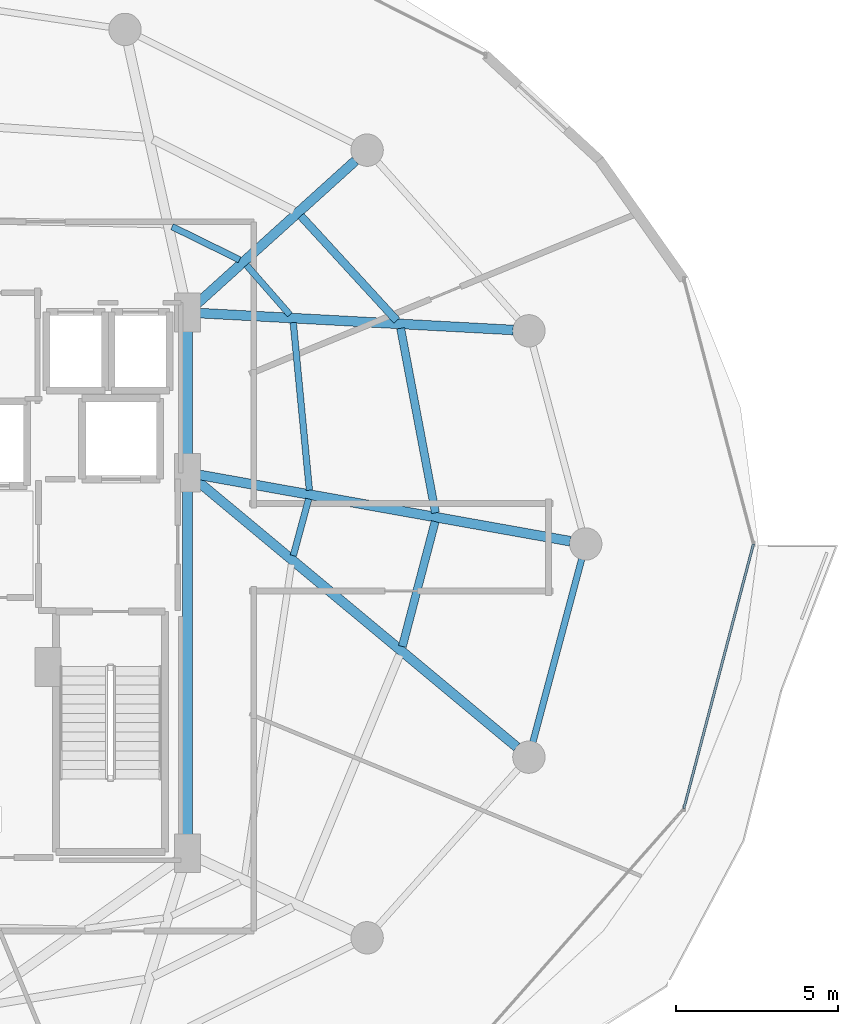
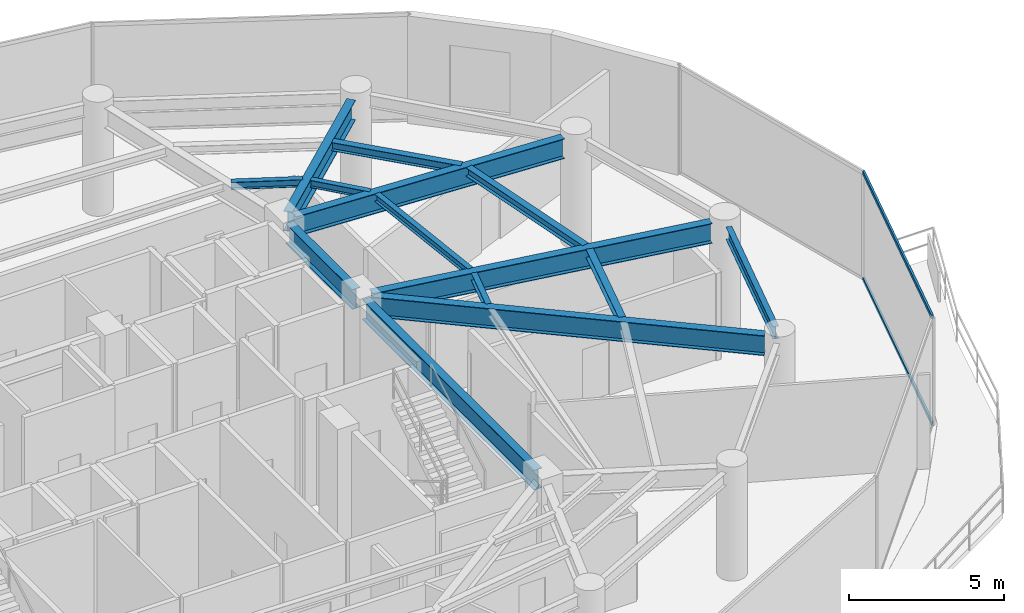
# One storey, part 14 of 31: 14 beams, 2 members, 1 element without a shape of its own.
"""IFC4 building model written with IfcOpenShell, lengths in metres."""

from ifc_helpers import new_model, si_unit, direction, frame, origin, origin_2d, place, context, subcontext, project, spatial, hollow_rectangle, i_section, extrude, material, material_profile, profile_set, type_object, element, aggregate, save


model = new_model("IFC4")

# Units and contexts
model_context = context("Model", 3, precision=1e-05, world=origin(), true_north=direction((0.0, 1.0)))
body_context = subcontext(model_context, "Body", "Model", "MODEL_VIEW")
ifc_project = project(units=[si_unit("LENGTHUNIT", "METRE"), si_unit("AREAUNIT", "SQUARE_METRE"), si_unit("VOLUMEUNIT", "CUBIC_METRE"), si_unit("PLANEANGLEUNIT", "RADIAN"), si_unit("MASSUNIT", "GRAM", prefix="KILO")], contexts=[model_context])

# Site, building, storey
site_placement = place(None, origin())
site = spatial("IfcSite", under=ifc_project, at=site_placement, CompositionType="ELEMENT")
building_placement = place(site_placement, origin())
building = spatial("IfcBuilding", under=site, at=building_placement, Name="Vorneva Point Tower", CompositionType="ELEMENT")
storey_placement = place(building_placement, frame((0.0, 0.0, 174.60009765625)))
storey = spatial("IfcBuildingStorey", under=building, at=storey_placement, Name="L47", CompositionType="ELEMENT", Elevation=174.60009765625)

# Beams
ifc_material_1 = material(Name="Steel S355", Category="steel")
ifc_material_profile_1 = material_profile(ifc_material_1, i_section(OverallWidth=0.300048828125, OverallDepth=0.7880859375, WebThickness=0.014404296875, FlangeThickness=0.02197265625, at=origin_2d()), Name="80Sh1")
ifc_profile_set_1 = profile_set([ifc_material_profile_1], Name="Steel S355")
beam_type_1 = type_object("IfcBeamType", Name="BM-GRD-80Sh1", PredefinedType="USERDEFINED", material=ifc_profile_set_1)
beam_1_placement = place(storey_placement, frame((60.569580078125, 26.0859375, 3.845947265625), z_axis=(-0.984378132756, 0.176067293249, 0.0), x_axis=(-0.176067293249, -0.984378132756, 0.0)))
element("IfcBeam", 1, at=beam_1_placement, inside=storey, type_object=beam_type_1, Name="L47 Radial Primary Girder 01", ObjectType="GIRDER", PredefinedType="USERDEFINED", context=body_context, shape_type="SweptSolid", body=[
    extrude(i_section(OverallWidth=0.300048828125, OverallDepth=0.7880859375, WebThickness=0.014404296875, FlangeThickness=0.02197265625, at=origin_2d()), origin(), (0.0, 0.0, 1.0), 11.667236328125),
])
beam_2_placement = place(storey_placement, frame((58.80810546875, 32.6083984375, 3.845947265625), z_axis=(-0.998554051908, 0.053756910424, 0.0), x_axis=(-0.053756910424, -0.998554051908, 0.0)))
element("IfcBeam", 2, at=beam_2_placement, inside=storey, type_object=beam_type_1, Name="L47 Radial Primary Girder 02", ObjectType="GIRDER", PredefinedType="USERDEFINED", context=body_context, shape_type="SweptSolid", body=[
    extrude(i_section(OverallWidth=0.300048828125, OverallDepth=0.7880859375, WebThickness=0.014404296875, FlangeThickness=0.02197265625, at=origin_2d()), origin(), (0.0, 0.0, 1.0), 9.732666015625),
])
beam_3_placement = place(storey_placement, frame((53.936767578125, 37.835205078125, 3.845947265625), z_axis=(-0.742084379637, -0.670306477292, 0.0), x_axis=(0.670306477292, -0.742084379637, 0.0)))
element("IfcBeam", 3, at=beam_3_placement, inside=storey, type_object=beam_type_1, Name="L47 Radial Primary Girder 03", ObjectType="GIRDER", PredefinedType="USERDEFINED", context=body_context, shape_type="SweptSolid", body=[
    extrude(i_section(OverallWidth=0.300048828125, OverallDepth=0.7880859375, WebThickness=0.014404296875, FlangeThickness=0.02197265625, at=origin_2d()), origin(), (0.0, 0.0, 1.0), 6.649658203125),
])
beam_4_placement = place(storey_placement, frame((58.92041015625, 19.72998046875, 3.845947265625), z_axis=(-0.76841987547, 0.639946009428, 0.0), x_axis=(-0.639946009428, -0.76841987547, 0.0)))
element("IfcBeam", 4, at=beam_4_placement, inside=storey, type_object=beam_type_1, Name="L47 Radial Primary Girder 16", ObjectType="GIRDER", PredefinedType="USERDEFINED", context=body_context, shape_type="SweptSolid", body=[
    extrude(i_section(OverallWidth=0.300048828125, OverallDepth=0.7880859375, WebThickness=0.014404296875, FlangeThickness=0.02197265625, at=origin_2d()), origin(), (0.0, 0.0, 1.0), 12.8955078125),
])
beam_5_placement = place(storey_placement, frame((48.75, 16.77001953125, 3.845947265625), z_axis=(0.0, 1.0, 0.0), x_axis=(-1.0, 0.0, 0.0)))
element("IfcBeam", 5, at=beam_5_placement, inside=storey, type_object=beam_type_1, Name="L47 Core Tie Girder CT3", ObjectType="GIRDER", PredefinedType="USERDEFINED", context=body_context, shape_type="SweptSolid", body=[
    extrude(i_section(OverallWidth=0.300048828125, OverallDepth=0.7880859375, WebThickness=0.014404296875, FlangeThickness=0.02197265625, at=origin_2d()), origin(), (0.0, 0.0, 1.0), 11.10986328125),
])
beam_6_placement = place(storey_placement, frame((48.75, 28.52001953125, 3.845947265625), z_axis=(0.0, 1.0, 0.0), x_axis=(-1.0, 0.0, 0.0)))
element("IfcBeam", 6, at=beam_6_placement, inside=storey, type_object=beam_type_1, Name="L47 Core Tie Girder CT4", ObjectType="GIRDER", PredefinedType="USERDEFINED", context=body_context, shape_type="SweptSolid", body=[
    extrude(i_section(OverallWidth=0.300048828125, OverallDepth=0.7880859375, WebThickness=0.014404296875, FlangeThickness=0.02197265625, at=origin_2d()), origin(), (0.0, 0.0, 1.0), 4.31005859375),
])
ifc_material_profile_2 = material_profile(ifc_material_1, i_section(OverallWidth=0.199951171875, OverallDepth=0.291015625, WebThickness=0.008056640625, FlangeThickness=0.010986328125, at=origin_2d()), Name="30Sh1")
ifc_profile_set_2 = profile_set([ifc_material_profile_2], Name="Steel S355")
beam_type_2 = type_object("IfcBeamType", Name="BM-SEC-30Sh1", PredefinedType="BEAM", material=ifc_profile_set_2)
beam_7_placement = place(storey_placement, frame((52.516845703125, 27.6611328125, 4.094482421875), z_axis=(-0.095868061976, 0.995394049959, 0.0), x_axis=(-0.995394049959, -0.095868061976, 0.0)))
element("IfcBeam", 7, at=beam_7_placement, inside=storey, type_object=beam_type_2, Name="L47 Secondary Floor Beam 2.01", PredefinedType="BEAM", context=body_context, shape_type="SweptSolid", body=[
    extrude(i_section(OverallWidth=0.199951171875, OverallDepth=0.291015625, WebThickness=0.008056640625, FlangeThickness=0.010986328125, at=origin_2d()), origin(), (0.0, 0.0, 1.0), 5.2001953125),
])
beam_8_placement = place(storey_placement, frame((51.914306640625, 33.07861328125, 4.094482421875), z_axis=(-0.658479142456, 0.752598976182, 0.0), x_axis=(-0.752598976182, -0.658479142456, 0.0)))
element("IfcBeam", 8, at=beam_8_placement, inside=storey, type_object=beam_type_2, Name="L47 Secondary Floor Beam 2.02", PredefinedType="BEAM", context=body_context, shape_type="SweptSolid", body=[
    extrude(i_section(OverallWidth=0.199951171875, OverallDepth=0.291015625, WebThickness=0.008056640625, FlangeThickness=0.010986328125, at=origin_2d()), origin(), (0.0, 0.0, 1.0), 2.0361328125),
])
beam_9_placement = place(storey_placement, frame((50.35888671875, 34.77587890625, 4.094482421875), z_axis=(-0.897310370884, 0.441400156664, 0.0), x_axis=(-0.441400156664, -0.897310370884, 0.0)))
element("IfcBeam", 9, at=beam_9_placement, inside=storey, type_object=beam_type_2, Name="L47 Secondary Floor Beam 2.03", PredefinedType="BEAM", context=body_context, shape_type="SweptSolid", body=[
    extrude(i_section(OverallWidth=0.199951171875, OverallDepth=0.291015625, WebThickness=0.008056640625, FlangeThickness=0.010986328125, at=origin_2d()), origin(), (0.0, 0.0, 1.0), 2.322021484375),
])
beam_10_placement = place(storey_placement, frame((52.02001953125, 25.639892578125, 4.094482421875), z_axis=(0.261397187655, 0.965231324754, 0.0), x_axis=(-0.965231324754, 0.261397187655, 0.0)))
element("IfcBeam", 10, at=beam_10_placement, inside=storey, type_object=beam_type_2, Name="L47 Secondary Floor Beam 2.16", PredefinedType="BEAM", context=body_context, shape_type="SweptSolid", body=[
    extrude(i_section(OverallWidth=0.199951171875, OverallDepth=0.291015625, WebThickness=0.008056640625, FlangeThickness=0.010986328125, at=origin_2d()), origin(), (0.0, 0.0, 1.0), 1.813720703125),
])
ifc_material_profile_3 = material_profile(ifc_material_1, i_section(OverallWidth=0.2490234375, OverallDepth=0.333984375, WebThickness=0.008056640625, FlangeThickness=0.010986328125, at=origin_2d()), Name="35Sh1")
ifc_profile_set_3 = profile_set([ifc_material_profile_3], Name="Steel S355")
beam_type_3 = type_object("IfcBeamType", Name="BM-SEC-35Sh1", PredefinedType="BEAM", material=ifc_profile_set_3)
beam_11_placement = place(storey_placement, frame((56.409423828125, 26.9609375, 4.072998046875), z_axis=(-0.185233785123, 0.982694481947, 0.0), x_axis=(-0.982694481947, -0.185233785123, 0.0)))
element("IfcBeam", 11, at=beam_11_placement, inside=storey, type_object=beam_type_3, Name="L47 Secondary Floor Beam 1.01", PredefinedType="BEAM", context=body_context, shape_type="SweptSolid", body=[
    extrude(i_section(OverallWidth=0.2490234375, OverallDepth=0.333984375, WebThickness=0.008056640625, FlangeThickness=0.010986328125, at=origin_2d()), origin(), (0.0, 0.0, 1.0), 5.800537109375),
])
beam_12_placement = place(storey_placement, frame((55.216064453125, 32.8984375, 4.072998046875), z_axis=(-0.675865863336, 0.737024650047, 0.0), x_axis=(-0.737024650047, -0.675865863336, 0.0)))
element("IfcBeam", 12, at=beam_12_placement, inside=storey, type_object=beam_type_3, Name="L47 Secondary Floor Beam 1.02", PredefinedType="BEAM", context=body_context, shape_type="SweptSolid", body=[
    extrude(i_section(OverallWidth=0.2490234375, OverallDepth=0.333984375, WebThickness=0.008056640625, FlangeThickness=0.010986328125, at=origin_2d()), origin(), (0.0, 0.0, 1.0), 4.383056640625),
])
beam_13_placement = place(storey_placement, frame((55.38818359375, 22.83447265625, 4.072998046875), z_axis=(0.253697664148, 0.967283565045, 0.0), x_axis=(-0.967283565045, 0.253697664148, 0.0)))
element("IfcBeam", 13, at=beam_13_placement, inside=storey, type_object=beam_type_3, Name="L47 Secondary Floor Beam 1.16", PredefinedType="BEAM", context=body_context, shape_type="SweptSolid", body=[
    extrude(i_section(OverallWidth=0.2490234375, OverallDepth=0.333984375, WebThickness=0.008056640625, FlangeThickness=0.010986328125, at=origin_2d()), origin(), (0.0, 0.0, 1.0), 3.98779296875),
])
ifc_material_profile_4 = material_profile(ifc_material_1, i_section(OverallWidth=0.199951171875, OverallDepth=0.491943359375, WebThickness=0.0087890625, FlangeThickness=0.011962890625, at=origin_2d()), Name="50B1")
ifc_profile_set_4 = profile_set([ifc_material_profile_4], Name="Steel S355")
beam_type_4 = type_object("IfcBeamType", Name="BM-SPN-50B1", PredefinedType="SPANDREL", material=ifc_profile_set_4)
beam_14_placement = place(storey_placement, frame((59.42041015625, 19.886474609375, 3.993896484375), z_axis=(0.257550804648, 0.966264758245, 0.0), x_axis=(-0.966264758245, 0.257550804648, 0.0)))
element("IfcBeam", 14, at=beam_14_placement, inside=storey, type_object=beam_type_4, Name="L47 Perimeter Spandrel Ring Beam 16", PredefinedType="SPANDREL", context=body_context, shape_type="SweptSolid", body=[
    extrude(i_section(OverallWidth=0.199951171875, OverallDepth=0.491943359375, WebThickness=0.0087890625, FlangeThickness=0.011962890625, at=origin_2d()), origin(), (0.0, 0.0, 1.0), 5.842041015625),
])

# Curtain wall, members
ifc_material_2 = material(Name="Pale anodised aluminium", Category="aluminium")
curtain_wall_type = type_object("IfcCurtainWallType", Name="CW-SKY-SYS", PredefinedType="NOTDEFINED", material=ifc_material_2)
curtain_wall_placement = place(storey_placement, origin())
curtain_wall = element("IfcCurtainWall", 15, at=curtain_wall_placement, inside=storey, type_object=curtain_wall_type, Name="L47 Unitised Curtain Wall CW-L47-R01", PredefinedType="NOTDEFINED")
ifc_material_profile_5 = material_profile(ifc_material_2, hollow_rectangle(XDim=0.074951171875, YDim=0.14990234375, WallThickness=0.00390625, at=origin_2d()), Name="AL-TRN 150x75x4")
ifc_profile_set_5 = profile_set([ifc_material_profile_5], Name="Pale anodised aluminium")
member_type = type_object("IfcMemberType", Name="CW-TRN-150", PredefinedType="USERDEFINED", material=ifc_profile_set_5)
member_1_placement = place(storey_placement, frame((64.0810546875, 17.82958984375, 0.02001953125), z_axis=(0.254362431281, 0.967108966742, 0.0), x_axis=(-0.967108966742, 0.254362431281, 0.0)))
member_1 = element("IfcMember", 16, at=member_1_placement, type_object=member_type, Name="CW-L47-R01 Transom 03.1", ObjectType="TRANSOM", PredefinedType="USERDEFINED", context=body_context, shape_type="SweptSolid", body=[
    extrude(hollow_rectangle(XDim=0.074951171875, YDim=0.14990234375, WallThickness=0.00390625, at=origin_2d()), origin(), (0.0, 0.0, 1.0), 8.4482421875),
])
member_2_placement = place(storey_placement, frame((64.0810546875, 17.82958984375, 4.219970703125), z_axis=(0.254362431281, 0.967108966742, 0.0), x_axis=(-0.967108966742, 0.254362431281, 0.0)))
member_2 = element("IfcMember", 17, at=member_2_placement, type_object=member_type, Name="CW-L47-R01 Transom 03.2", ObjectType="TRANSOM", PredefinedType="USERDEFINED", context=body_context, shape_type="SweptSolid", body=[
    extrude(hollow_rectangle(XDim=0.074951171875, YDim=0.14990234375, WallThickness=0.00390625, at=origin_2d()), origin(), (0.0, 0.0, 1.0), 8.4482421875),
])
aggregate(curtain_wall, [member_1, member_2])

save(model, "model.ifc")
